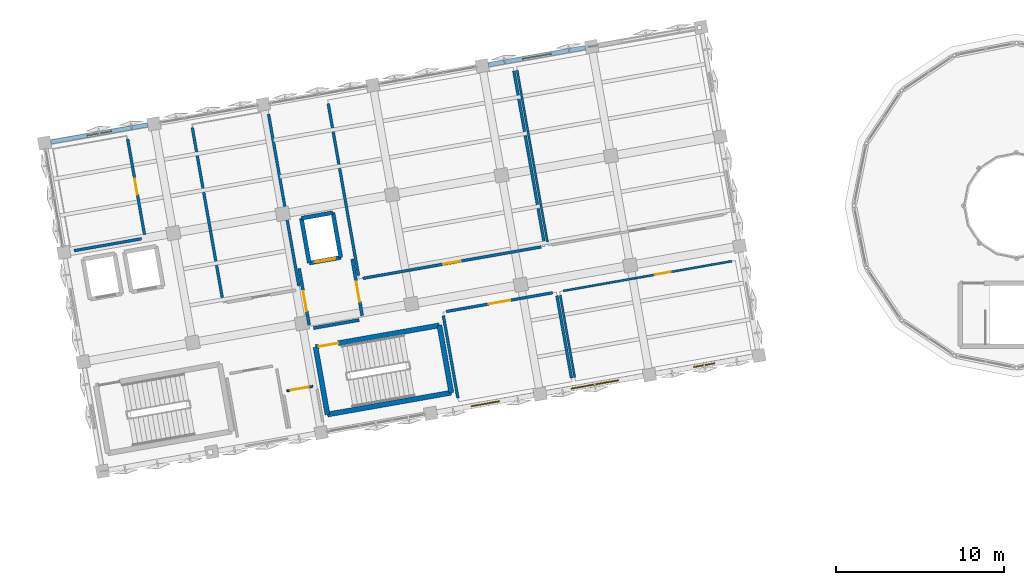
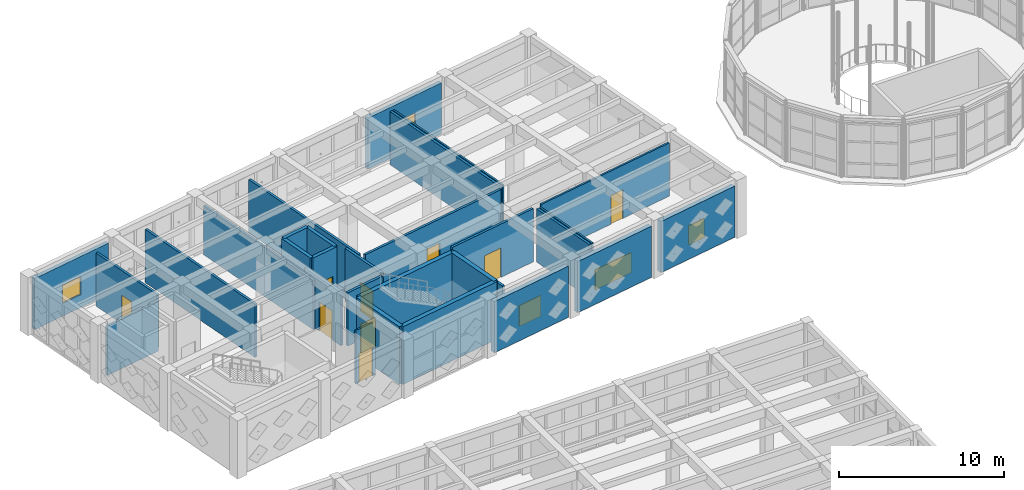
# One storey, part 67 of 80: 30 walls, 9 doors, 5 windows, 14 openings.
"""IFC4 building model written with IfcOpenShell, lengths in metres."""

from ifc_helpers import new_model, si_unit, direction, frame, frame_2d, origin, place, context, subcontext, project, spatial, rectangle, extrude, material, layer, layer_set, type_object, element, fill, save


model = new_model("IFC4")

# Units and contexts
model_context = context("Model", 3, precision=1e-05, world=origin(), true_north=direction((0.0, 1.0)))
body_context = subcontext(model_context, "Body", "Model", "MODEL_VIEW")
ifc_project = project(units=[si_unit("LENGTHUNIT", "METRE"), si_unit("AREAUNIT", "SQUARE_METRE"), si_unit("VOLUMEUNIT", "CUBIC_METRE"), si_unit("PLANEANGLEUNIT", "RADIAN"), si_unit("MASSUNIT", "GRAM", prefix="KILO")], contexts=[model_context])

# Site, building, storey
site_placement = place(None, origin())
site = spatial("IfcSite", under=ifc_project, at=site_placement, CompositionType="ELEMENT")
building_placement = place(site_placement, origin())
building = spatial("IfcBuilding", under=site, at=building_placement, Name="Kharisveld Research Institute", CompositionType="ELEMENT")
storey_placement = place(building_placement, frame((0.0, 0.0, 5.10009765625)))
storey = spatial("IfcBuildingStorey", under=building, at=storey_placement, Name="L01", CompositionType="ELEMENT", Elevation=5.10009765625)

# Walls
ifc_material_1 = material(Name="Concrete C40/50", Category="concrete")
ifc_layer_1 = layer(ifc_material_1, 0.239990234375)
ifc_layer_set_1 = layer_set([ifc_layer_1], Name="WL_CORE_240")
wall_type_1 = type_object("IfcWallType", Name="WL_CORE_240", PredefinedType="SHEAR", material=ifc_layer_set_1)
wall_1_placement = place(storey_placement, frame((17.48828125, 47.3818359375, 0.0), z_axis=(0.0, 0.0, 1.0), x_axis=(-0.173615102578, 0.98481358447, 0.0)))
element("IfcWall", 1, at=wall_1_placement, inside=storey, type_object=wall_type_1, Name="WL:LFT:FFL-01:L01:W", PredefinedType="SHEAR", context=body_context, shape_type="SweptSolid", body=[
    extrude(rectangle(XDim=2.699951171875, YDim=0.239990234375, at=frame_2d((1.35009765625, 0.0))), origin(), (0.0, 0.0, 1.0), 4.27978515625),
])
wall_2_placement = place(storey_placement, frame((17.01953125, 50.040771484375, 0.0), z_axis=(0.0, 0.0, 1.0), x_axis=(0.984815882103, 0.173602068988, 0.0)))
element("IfcWall", 2, at=wall_2_placement, inside=storey, type_object=wall_type_1, Name="WL:LFT:FFL-01:L01:N", PredefinedType="SHEAR", context=body_context, shape_type="SweptSolid", body=[
    extrude(rectangle(XDim=1.89990234375, YDim=0.239990234375, at=frame_2d((0.949951171875, 0.0))), origin(), (0.0, 0.0, 1.0), 4.27978515625),
])
wall_3_placement = place(storey_placement, frame((18.890625, 50.37060546875, 0.0), z_axis=(0.0, 0.0, 1.0), x_axis=(0.173615102578, -0.98481358447, 0.0)))
element("IfcWall", 3, at=wall_3_placement, inside=storey, type_object=wall_type_1, Name="WL:LFT:FFL-01:L01:E", PredefinedType="SHEAR", context=body_context, shape_type="SweptSolid", body=[
    extrude(rectangle(XDim=2.699951171875, YDim=0.239990234375, at=frame_2d((1.35009765625, 0.0))), origin(), (0.0, 0.0, 1.0), 4.27978515625),
])

# Wall, opening, door
wall_4_placement = place(storey_placement, frame((19.359375, 47.711669921875, 0.0), z_axis=(0.0, 0.0, 1.0), x_axis=(-0.984815882103, -0.173602068988, 0.0)))
wall_4 = element("IfcWall", 4, at=wall_4_placement, inside=storey, type_object=wall_type_1, Name="WL:LFT:FFL-01:L01:S", PredefinedType="SHEAR", context=body_context, shape_type="SweptSolid", body=[
    extrude(rectangle(XDim=1.89990234375, YDim=0.239990234375, at=frame_2d((0.949951171875, 0.0))), origin(), (0.0, 0.0, 1.0), 4.27978515625),
])
opening_1_placement = place(wall_4_placement, frame((0.324951171875, 0.0, 0.0)))
opening_1 = element("IfcOpeningElement", 5, at=opening_1_placement, cuts=wall_4, Name="Opening LD-02", PredefinedType="OPENING", context=body_context, shape_type="SweptSolid", body=[
    extrude(rectangle(XDim=1.25, YDim=2.199951171875, at=frame_2d((0.625, 1.10009765625))), frame((0.0, 0.1201171875, 0.0), z_axis=(0.0, -1.0, 0.0), x_axis=(1.0, 0.0, 0.0)), (0.0, 0.0, 1.0), 0.239990234375),
])
ifc_material_2 = material(Name="Flush Painted Hardwood and Anodised Aluminium", Category="wood")
door_type_1 = type_object("IfcDoorType", Name="DR_LFT_125", OperationType="SLIDING_TO_RIGHT", PredefinedType="DOOR", material=ifc_material_2)
door_1_placement = place(opening_1_placement, origin())
door_1 = element("IfcDoor", 6, at=door_1_placement, inside=storey, type_object=door_type_1, Name="FFL-01 Lift Landing Door L01", OperationType="SLIDING_TO_RIGHT", OverallHeight=2.199951171875, OverallWidth=1.25, PredefinedType="DOOR", context=body_context, shape_type="SweptSolid", body=[
    extrude(rectangle(XDim=1.25, YDim=2.199951171875, at=frame_2d((0.625, 1.10009765625))), frame((0.0, 0.02490234375, 0.0), z_axis=(0.0, -1.0, 0.0), x_axis=(1.0, 0.0, 0.0)), (0.0, 0.0, 1.0), 0.050048828125),
])
fill(opening_1, door_1)

# Wall
ifc_material_3 = material(Name="Concrete C40/50", Category="concrete")
ifc_layer_2 = layer(ifc_material_3, 0.300048828125)
ifc_layer_set_2 = layer_set([ifc_layer_2], Name="WL_CORE_300")
wall_type_2 = type_object("IfcWallType", Name="WL_CORE_300", PredefinedType="SHEAR", material=ifc_layer_set_2)
wall_5_placement = place(storey_placement, frame((18.5673828125, 38.382568359375, 0.0), z_axis=(0.0, 0.0, 1.0), x_axis=(-0.173606946886, 0.984815022221, 0.0)))
element("IfcWall", 7, at=wall_5_placement, inside=storey, type_object=wall_type_2, Name="WL:STR:ST2:L01:W", PredefinedType="SHEAR", context=body_context, shape_type="SweptSolid", body=[
    extrude(rectangle(XDim=4.06005859375, YDim=0.300048828125, at=frame_2d((2.030029296875, 0.0))), origin(), (0.0, 0.0, 1.0), 4.27978515625),
])

# Wall, opening, door
wall_6_placement = place(storey_placement, frame((17.862548828125, 42.380859375, 0.0), z_axis=(0.0, 0.0, 1.0), x_axis=(0.984808225754, 0.173645496596, 0.0)))
wall_6 = element("IfcWall", 8, at=wall_6_placement, inside=storey, type_object=wall_type_2, Name="WL:STR:ST2:L01:N", PredefinedType="SHEAR", context=body_context, shape_type="SweptSolid", body=[
    extrude(rectangle(XDim=7.469970703125, YDim=0.300048828125, at=frame_2d((3.73486328125, 0.0))), origin(), (0.0, 0.0, 1.0), 4.27978515625),
])
opening_2_placement = place(wall_6_placement, frame((0.179931640625, 0.0, 0.0)))
opening_2 = element("IfcOpeningElement", 9, at=opening_2_placement, cuts=wall_6, Name="Opening DS-016", PredefinedType="OPENING", context=body_context, shape_type="SweptSolid", body=[
    extrude(rectangle(XDim=1.179931640625, YDim=2.14990234375, at=frame_2d((0.58984375, 1.074951171875))), frame((0.0, 0.14990234375, 0.0), z_axis=(0.0, -1.0, 0.0), x_axis=(1.0, 0.0, 0.0)), (0.0, 0.0, 1.0), 0.300048828125),
])
ifc_material_4 = material(Name="Flush Painted Hardwood and Anodised Aluminium", Category="wood")
door_type_2 = type_object("IfcDoorType", Name="DR_FD60_118", OperationType="NOTDEFINED", PredefinedType="DOOR", material=ifc_material_4)
door_2_placement = place(opening_2_placement, origin())
door_2 = element("IfcDoor", 10, at=door_2_placement, inside=storey, type_object=door_type_2, Name="DR:STR:ST2:L01", OperationType="SINGLE_SWING_LEFT", OverallHeight=2.14990234375, OverallWidth=1.179931640625, PredefinedType="DOOR", context=body_context, shape_type="SweptSolid", body=[
    extrude(rectangle(XDim=1.179931640625, YDim=2.14990234375, at=frame_2d((0.58984375, 1.074951171875))), frame((0.0, 0.02490234375, 0.0), z_axis=(0.0, -1.0, 0.0), x_axis=(1.0, 0.0, 0.0)), (0.0, 0.0, 1.0), 0.050048828125),
])
fill(opening_2, door_2)

# Walls
wall_7_placement = place(storey_placement, frame((25.218994140625, 43.677978515625, 0.0), z_axis=(0.0, 0.0, 1.0), x_axis=(0.173665267602, -0.984804739443, 0.0)))
element("IfcWall", 11, at=wall_7_placement, inside=storey, type_object=wall_type_2, Name="WL:STR:ST2:L01:E", PredefinedType="SHEAR", context=body_context, shape_type="SweptSolid", body=[
    extrude(rectangle(XDim=4.06005859375, YDim=0.300048828125, at=frame_2d((2.030029296875, 0.0))), origin(), (0.0, 0.0, 1.0), 4.27978515625),
])
wall_8_placement = place(storey_placement, frame((25.924072265625, 39.6796875, 0.0), z_axis=(0.0, 0.0, 1.0), x_axis=(-0.984809211193, -0.173639907711, 0.0)))
element("IfcWall", 12, at=wall_8_placement, inside=storey, type_object=wall_type_2, Name="WL:STR:ST2:L01:S", PredefinedType="SHEAR", context=body_context, shape_type="SweptSolid", body=[
    extrude(rectangle(XDim=7.47021484375, YDim=0.300048828125, at=frame_2d((3.735107421875, 0.0))), origin(), (0.0, 0.0, 1.0), 4.27978515625),
])

# Wall, opening, window
ifc_material_5 = material(Name="Precast Concrete C40/50 Thermal Wall", Category="concrete")
ifc_layer_3 = layer(ifc_material_5, 0.260009765625)
ifc_layer_set_3 = layer_set([ifc_layer_3], Name="WL_EXT_260")
wall_type_3 = type_object("IfcWallType", Name="WL_EXT_260", PredefinedType="STANDARD", material=ifc_layer_set_3)
wall_9_placement = place(storey_placement, frame((2.126220703125, 54.573486328125, 0.0), z_axis=(0.0, 0.0, 1.0), x_axis=(0.984807875342, 0.1736474839, 0.0)))
wall_9 = element("IfcWall", 13, at=wall_9_placement, inside=storey, type_object=wall_type_3, Name="WL:V1:L01:N0", PredefinedType="STANDARD", context=body_context, shape_type="SweptSolid", body=[
    extrude(rectangle(XDim=5.860107421875, YDim=0.260009765625, at=frame_2d((2.93017578125, 0.0))), origin(), (0.0, 0.0, 1.0), 3.794921875),
])
opening_3_placement = place(wall_9_placement, frame((2.205078125, 0.0, 0.949951171875)))
opening_3 = element("IfcOpeningElement", 14, at=opening_3_placement, cuts=wall_9, Name="Opening WN-13", PredefinedType="OPENING", context=body_context, shape_type="SweptSolid", body=[
    extrude(rectangle(XDim=1.449951171875, YDim=1.35009765625, at=frame_2d((0.72509765625, 0.675048828125))), frame((0.0, 0.1298828125, 0.0), z_axis=(0.0, -1.0, 0.0), x_axis=(1.0, 0.0, 0.0)), (0.0, 0.0, 1.0), 0.260009765625),
])
ifc_material_6 = material(Name="Low-E Double Glazing", Category="glass")
window_type_1 = type_object("IfcWindowType", Name="WN_13", PartitioningType="DOUBLE_PANEL_VERTICAL", PredefinedType="WINDOW", material=ifc_material_6)
window_1_placement = place(opening_3_placement, origin())
window_1 = element("IfcWindow", 15, at=window_1_placement, inside=storey, type_object=window_type_1, Name="WN:V1:L01:N0", OverallHeight=1.35009765625, OverallWidth=1.449951171875, PartitioningType="SINGLE_PANEL", PredefinedType="WINDOW", context=body_context, shape_type="SweptSolid", body=[
    extrude(rectangle(XDim=1.449951171875, YDim=1.35009765625, at=frame_2d((0.72509765625, 0.675048828125))), frame((0.0, 0.030029296875, 0.0), z_axis=(0.0, -1.0, 0.0), x_axis=(1.0, 0.0, 0.0)), (0.0, 0.0, 1.0), 0.06005859375),
])
fill(opening_3, window_1)

wall_10_placement = place(storey_placement, frame((28.125, 59.15771484375, 0.0), z_axis=(0.0, 0.0, 1.0), x_axis=(0.984807875342, 0.1736474839, 0.0)))
wall_10 = element("IfcWall", 16, at=wall_10_placement, inside=storey, type_object=wall_type_3, Name="WL:V1:L01:N4", PredefinedType="STANDARD", context=body_context, shape_type="SweptSolid", body=[
    extrude(rectangle(XDim=5.860107421875, YDim=0.260009765625, at=frame_2d((2.93017578125, 0.0))), origin(), (0.0, 0.0, 1.0), 3.794921875),
])
opening_4_placement = place(wall_10_placement, frame((2.080078125, 0.0, 0.949951171875)))
opening_4 = element("IfcOpeningElement", 17, at=opening_4_placement, cuts=wall_10, Name="Opening WN-17", PredefinedType="OPENING", context=body_context, shape_type="SweptSolid", body=[
    extrude(rectangle(XDim=1.699951171875, YDim=1.550048828125, at=frame_2d((0.85009765625, 0.77490234375))), frame((0.0, 0.1298828125, 0.0), z_axis=(0.0, -1.0, 0.0), x_axis=(1.0, 0.0, 0.0)), (0.0, 0.0, 1.0), 0.260009765625),
])
ifc_material_7 = material(Name="Low-E Double Glazing", Category="glass")
window_type_2 = type_object("IfcWindowType", Name="WN_17", PartitioningType="DOUBLE_PANEL_VERTICAL", PredefinedType="WINDOW", material=ifc_material_7)
window_2_placement = place(opening_4_placement, origin())
window_2 = element("IfcWindow", 18, at=window_2_placement, inside=storey, type_object=window_type_2, Name="WN:V1:L01:N4", OverallHeight=1.550048828125, OverallWidth=1.699951171875, PartitioningType="SINGLE_PANEL", PredefinedType="WINDOW", context=body_context, shape_type="SweptSolid", body=[
    extrude(rectangle(XDim=1.699951171875, YDim=1.550048828125, at=frame_2d((0.85009765625, 0.77490234375))), frame((0.0, 0.030029296875, 0.0), z_axis=(0.0, -1.0, 0.0), x_axis=(1.0, 0.0, 0.0)), (0.0, 0.0, 1.0), 0.06005859375),
])
fill(opening_4, window_2)

ifc_material_8 = material(Name="Precast Concrete C40/50 Ochre Panel", Category="concrete")
ifc_layer_4 = layer(ifc_material_8, 0.304931640625)
ifc_layer_set_4 = layer_set([ifc_layer_4], Name="WL_EXT_305")
wall_type_4 = type_object("IfcWallType", Name="WL_EXT_305", PredefinedType="STANDARD", material=ifc_layer_set_4)
wall_11_placement = place(storey_placement, frame((43.833984375, 41.822265625, 0.0), z_axis=(0.0, 0.0, 1.0), x_axis=(-0.984807875342, -0.1736474839, 0.0)))
wall_11 = element("IfcWall", 19, at=wall_11_placement, inside=storey, type_object=wall_type_4, Name="WL:V1:L01:S6", PredefinedType="STANDARD", context=body_context, shape_type="SweptSolid", body=[
    extrude(rectangle(XDim=5.860107421875, YDim=0.304931640625, at=frame_2d((2.93017578125, 0.0))), origin(), (0.0, 0.0, 1.0), 3.794921875),
])
opening_5_placement = place(wall_11_placement, frame((2.2900390625, 0.0, 0.949951171875)))
opening_5 = element("IfcOpeningElement", 20, at=opening_5_placement, cuts=wall_11, Name="Opening WN-19", PredefinedType="OPENING", context=body_context, shape_type="SweptSolid", body=[
    extrude(rectangle(XDim=1.280029296875, YDim=1.419921875, at=frame_2d((0.64013671875, 0.7099609375))), frame((0.0, 0.15234375, 0.0), z_axis=(0.0, -1.0, 0.0), x_axis=(1.0, 0.0, 0.0)), (0.0, 0.0, 1.0), 0.304931640625),
])
ifc_material_9 = material(Name="Low-E Double Glazing", Category="glass")
window_type_3 = type_object("IfcWindowType", Name="WN_19", PartitioningType="SINGLE_PANEL", PredefinedType="WINDOW", material=ifc_material_9)
window_3_placement = place(opening_5_placement, origin())
window_3 = element("IfcWindow", 21, at=window_3_placement, inside=storey, type_object=window_type_3, Name="WN:V1:L01:S6", OverallHeight=1.419921875, OverallWidth=1.280029296875, PartitioningType="SINGLE_PANEL", PredefinedType="WINDOW", context=body_context, shape_type="SweptSolid", body=[
    extrude(rectangle(XDim=1.280029296875, YDim=1.419921875, at=frame_2d((0.64013671875, 0.7099609375))), frame((0.0, 0.030029296875, 0.0), z_axis=(0.0, -1.0, 0.0), x_axis=(1.0, 0.0, 0.0)), (0.0, 0.0, 1.0), 0.06005859375),
])
fill(opening_5, window_3)

wall_12_placement = place(storey_placement, frame((37.334228515625, 40.676025390625, 0.0), z_axis=(0.0, 0.0, 1.0), x_axis=(-0.984807875342, -0.1736474839, 0.0)))
wall_12 = element("IfcWall", 22, at=wall_12_placement, inside=storey, type_object=wall_type_4, Name="WL:V1:L01:S5", PredefinedType="STANDARD", context=body_context, shape_type="SweptSolid", body=[
    extrude(rectangle(XDim=5.860107421875, YDim=0.304931640625, at=frame_2d((2.93017578125, 0.0))), origin(), (0.0, 0.0, 1.0), 3.794921875),
])
opening_6_placement = place(wall_12_placement, frame((1.5048828125, 0.0, 0.949951171875)))
opening_6 = element("IfcOpeningElement", 23, at=opening_6_placement, cuts=wall_12, Name="Opening WN-18", PredefinedType="OPENING", context=body_context, shape_type="SweptSolid", body=[
    extrude(rectangle(XDim=2.85009765625, YDim=1.5, at=frame_2d((1.425048828125, 0.75))), frame((0.0, 0.15234375, 0.0), z_axis=(0.0, -1.0, 0.0), x_axis=(1.0, 0.0, 0.0)), (0.0, 0.0, 1.0), 0.304931640625),
])
ifc_material_10 = material(Name="Low-E Double Glazing", Category="glass")
window_type_4 = type_object("IfcWindowType", Name="WN_18", PartitioningType="TRIPLE_PANEL_VERTICAL", PredefinedType="WINDOW", material=ifc_material_10)
window_4_placement = place(opening_6_placement, origin())
window_4 = element("IfcWindow", 24, at=window_4_placement, inside=storey, type_object=window_type_4, Name="WN:V1:L01:S5", OverallHeight=1.5, OverallWidth=2.85009765625, PartitioningType="SINGLE_PANEL", PredefinedType="WINDOW", context=body_context, shape_type="SweptSolid", body=[
    extrude(rectangle(XDim=2.85009765625, YDim=1.5, at=frame_2d((1.425048828125, 0.75))), frame((0.0, 0.030029296875, 0.0), z_axis=(0.0, -1.0, 0.0), x_axis=(1.0, 0.0, 0.0)), (0.0, 0.0, 1.0), 0.06005859375),
])
fill(opening_6, window_4)

wall_13_placement = place(storey_placement, frame((30.83447265625, 39.530029296875, 0.0), z_axis=(0.0, 0.0, 1.0), x_axis=(-0.984807875342, -0.1736474839, 0.0)))
wall_13 = element("IfcWall", 25, at=wall_13_placement, inside=storey, type_object=wall_type_4, Name="WL:V1:L01:S4", PredefinedType="STANDARD", context=body_context, shape_type="SweptSolid", body=[
    extrude(rectangle(XDim=5.860107421875, YDim=0.304931640625, at=frame_2d((2.93017578125, 0.0))), origin(), (0.0, 0.0, 1.0), 3.794921875),
])
opening_7_placement = place(wall_13_placement, frame((2.080078125, 0.0, 0.949951171875)))
opening_7 = element("IfcOpeningElement", 26, at=opening_7_placement, cuts=wall_13, Name="Opening WN-17", PredefinedType="OPENING", context=body_context, shape_type="SweptSolid", body=[
    extrude(rectangle(XDim=1.699951171875, YDim=1.550048828125, at=frame_2d((0.85009765625, 0.77490234375))), frame((0.0, 0.15234375, 0.0), z_axis=(0.0, -1.0, 0.0), x_axis=(1.0, 0.0, 0.0)), (0.0, 0.0, 1.0), 0.304931640625),
])
window_5_placement = place(opening_7_placement, origin())
window_5 = element("IfcWindow", 27, at=window_5_placement, inside=storey, type_object=window_type_2, Name="WN:V1:L01:S4", OverallHeight=1.550048828125, OverallWidth=1.699951171875, PartitioningType="SINGLE_PANEL", PredefinedType="WINDOW", context=body_context, shape_type="SweptSolid", body=[
    extrude(rectangle(XDim=1.699951171875, YDim=1.550048828125, at=frame_2d((0.85009765625, 0.77490234375))), frame((0.0, 0.030029296875, 0.0), z_axis=(0.0, -1.0, 0.0), x_axis=(1.0, 0.0, 0.0)), (0.0, 0.0, 1.0), 0.06005859375),
])
fill(opening_7, window_5)

# Wall
ifc_material_11 = material(Name="Acoustic Drywall Partition", Category="mineral")
ifc_layer_5 = layer(ifc_material_11, 0.1650390625)
ifc_layer_set_5 = layer_set([ifc_layer_5], Name="WL_LAB_165")
wall_type_5 = type_object("IfcWallType", Name="WL_LAB_165", PredefinedType="PARTITIONING", material=ifc_layer_set_5)
wall_14_placement = place(storey_placement, frame((3.518310546875, 48.1171875, 0.0), z_axis=(0.0, 0.0, 1.0), x_axis=(0.984816834462, 0.173596666326, 0.0)))
element("IfcWall", 28, at=wall_14_placement, inside=storey, type_object=wall_type_5, Name="WL:RM:V1:L01:NW:S", PredefinedType="PARTITIONING", context=body_context, shape_type="SweptSolid", body=[
    extrude(rectangle(XDim=4.060302734375, YDim=0.1650390625, at=frame_2d((2.0302734375, 0.0))), origin(), (0.0, 0.0, 1.0), 3.64501953125),
])

# Wall, opening, door
wall_15_placement = place(storey_placement, frame((7.6953125, 49.076904296875, 0.0), z_axis=(0.0, 0.0, 1.0), x_axis=(-0.173649928941, 0.984807444214, 0.0)))
wall_15 = element("IfcWall", 29, at=wall_15_placement, inside=storey, type_object=wall_type_5, Name="WL:RM:V1:L01:NW:E", PredefinedType="PARTITIONING", context=body_context, shape_type="SweptSolid", body=[
    extrude(rectangle(XDim=5.760009765625, YDim=0.1650390625, at=frame_2d((2.8798828125, 0.0))), origin(), (0.0, 0.0, 1.0), 3.949951171875),
])
opening_8_placement = place(wall_15_placement, frame((2.39501953125, 0.0, 0.0)))
opening_8 = element("IfcOpeningElement", 30, at=opening_8_placement, cuts=wall_15, Name="Opening DI-075", PredefinedType="OPENING", context=body_context, shape_type="SweptSolid", body=[
    extrude(rectangle(XDim=0.969970703125, YDim=2.1201171875, at=frame_2d((0.48486328125, 1.06005859375))), frame((0.0, 0.08251953125, 0.0), z_axis=(0.0, -1.0, 0.0), x_axis=(1.0, 0.0, 0.0)), (0.0, 0.0, 1.0), 0.1650390625),
])
ifc_material_12 = material(Name="Flush Painted Hardwood and Anodised Aluminium", Category="wood")
door_type_3 = type_object("IfcDoorType", Name="DR_VAR_03", OperationType="NOTDEFINED", PredefinedType="DOOR", material=ifc_material_12)
door_3_placement = place(opening_8_placement, origin())
door_3 = element("IfcDoor", 31, at=door_3_placement, inside=storey, type_object=door_type_3, Name="DR:RM:V1:L01:NW:E", OperationType="SINGLE_SWING_RIGHT", OverallHeight=2.1201171875, OverallWidth=0.969970703125, PredefinedType="DOOR", context=body_context, shape_type="SweptSolid", body=[
    extrude(rectangle(XDim=0.969970703125, YDim=2.1201171875, at=frame_2d((0.48486328125, 1.06005859375))), frame((0.0, 0.02490234375, 0.0), z_axis=(0.0, -1.0, 0.0), x_axis=(1.0, 0.0, 0.0)), (0.0, 0.0, 1.0), 0.050048828125),
])
fill(opening_8, door_3)

# Walls
wall_16_placement = place(storey_placement, frame((16.86474609375, 46.02294921875, 0.0), z_axis=(0.0, 0.0, 1.0), x_axis=(-0.173632075677, 0.984810592092, 0.0)))
element("IfcWall", 32, at=wall_16_placement, inside=storey, type_object=wall_type_5, Name="WL:RM:V1:L01:N1:E", PredefinedType="PARTITIONING", context=body_context, shape_type="SweptSolid", body=[
    extrude(rectangle(XDim=10.360107421875, YDim=0.1650390625, at=frame_2d((5.18017578125, 0.0))), origin(), (0.0, 0.0, 1.0), 3.64501953125),
])
wall_17_placement = place(storey_placement, frame((10.53564453125, 55.4267578125, 0.0), z_axis=(0.0, 0.0, 1.0), x_axis=(0.173654930775, -0.984806562233, 0.0)))
element("IfcWall", 33, at=wall_17_placement, inside=storey, type_object=wall_type_5, Name="WL:RM:V1:L01:N1:W", PredefinedType="PARTITIONING", context=body_context, shape_type="SweptSolid", body=[
    extrude(rectangle(XDim=10.360107421875, YDim=0.1650390625, at=frame_2d((5.18017578125, 0.0))), origin(), (0.0, 0.0, 1.0), 3.949951171875),
])

# Wall, opening, door
wall_18_placement = place(storey_placement, frame((20.6650390625, 46.469482421875, 0.0), z_axis=(0.0, 0.0, 1.0), x_axis=(0.984804338045, 0.173667543796, 0.0)))
wall_18 = element("IfcWall", 34, at=wall_18_placement, inside=storey, type_object=wall_type_5, Name="WL:RM:V1:L01:N2:S", PredefinedType="PARTITIONING", context=body_context, shape_type="SweptSolid", body=[
    extrude(rectangle(XDim=10.760009765625, YDim=0.1650390625, at=frame_2d((5.3798828125, 0.0))), origin(), (0.0, 0.0, 1.0), 3.949951171875),
])
opening_9_placement = place(wall_18_placement, frame((4.864990234375, 0.0, 0.0)))
opening_9 = element("IfcOpeningElement", 35, at=opening_9_placement, cuts=wall_18, Name="Opening DI-077", PredefinedType="OPENING", context=body_context, shape_type="SweptSolid", body=[
    extrude(rectangle(XDim=1.030029296875, YDim=2.159912109375, at=frame_2d((0.51513671875, 1.080078125))), frame((0.0, 0.08251953125, 0.0), z_axis=(0.0, -1.0, 0.0), x_axis=(1.0, 0.0, 0.0)), (0.0, 0.0, 1.0), 0.1650390625),
])
ifc_material_13 = material(Name="Flush Painted Hardwood and Anodised Aluminium", Category="wood")
door_type_4 = type_object("IfcDoorType", Name="DR_VAR_05", OperationType="NOTDEFINED", PredefinedType="DOOR", material=ifc_material_13)
door_4_placement = place(opening_9_placement, origin())
door_4 = element("IfcDoor", 36, at=door_4_placement, inside=storey, type_object=door_type_4, Name="DR:RM:V1:L01:N2:S", OperationType="SINGLE_SWING_RIGHT", OverallHeight=2.159912109375, OverallWidth=1.030029296875, PredefinedType="DOOR", context=body_context, shape_type="SweptSolid", body=[
    extrude(rectangle(XDim=1.030029296875, YDim=2.159912109375, at=frame_2d((0.51513671875, 1.080078125))), frame((0.0, 0.02490234375, 0.0), z_axis=(0.0, -1.0, 0.0), x_axis=(1.0, 0.0, 0.0)), (0.0, 0.0, 1.0), 0.050048828125),
])
fill(opening_9, door_4)

# Walls
for number, where, z_axis, x_axis, name in (
    (37, (31.43994140625, 48.5927734375, 0.0), (0.0, 0.0, 1.0), (-0.173632075677, 0.984810592092, 0.0), "WL:RM:V1:L01:N2:E"),
    (38, (18.611083984375, 56.8505859375, 0.0), (0.0, 0.0, 1.0), (0.173654930775, -0.984806562233, 0.0), "WL:RM:V1:L01:N2:W"),
):
    element("IfcWall", number, at=place(storey_placement, frame(where, z_axis=z_axis, x_axis=x_axis)), inside=storey, type_object=wall_type_5, Name=name, PredefinedType="PARTITIONING", context=body_context, shape_type="SweptSolid", body=[
        extrude(rectangle(XDim=10.360107421875, YDim=0.1650390625, at=frame_2d((5.18017578125, 0.0))), origin(), (0.0, 0.0, 1.0), 3.949951171875),
    ])
wall_19_placement = place(storey_placement, frame((33.060791015625, 40.55224609375, 0.0), z_axis=(0.0, 0.0, 1.0), x_axis=(-0.173658971256, 0.98480584975, 0.0)))
element("IfcWall", 39, at=wall_19_placement, inside=storey, type_object=wall_type_5, Name="WL:RM:V1:L01:S1:E", PredefinedType="PARTITIONING", context=body_context, shape_type="SweptSolid", body=[
    extrude(rectangle(XDim=4.9599609375, YDim=0.1650390625, at=frame_2d((2.47998046875, 0.0))), origin(), (0.0, 0.0, 1.0), 3.949951171875),
])

# Wall, opening, door
wall_20_placement = place(storey_placement, frame((31.94482421875, 45.615234375, 0.0), z_axis=(0.0, 0.0, 1.0), x_axis=(-0.984809620557, -0.173637585958, 0.0)))
wall_20 = element("IfcWall", 40, at=wall_20_placement, inside=storey, type_object=wall_type_5, Name="WL:RM:V1:L01:S1:N", PredefinedType="PARTITIONING", context=body_context, shape_type="SweptSolid", body=[
    extrude(rectangle(XDim=6.41015625, YDim=0.1650390625, at=frame_2d((3.205078125, 0.0))), origin(), (0.0, 0.0, 1.0), 3.949951171875),
])
opening_10_placement = place(wall_20_placement, frame((2.554931640625, 0.0, 0.0)))
opening_10 = element("IfcOpeningElement", 41, at=opening_10_placement, cuts=wall_20, Name="Opening DI-079", PredefinedType="OPENING", context=body_context, shape_type="SweptSolid", body=[
    extrude(rectangle(XDim=1.300048828125, YDim=2.179931640625, at=frame_2d((0.64990234375, 1.08984375))), frame((0.0, 0.08251953125, 0.0), z_axis=(0.0, -1.0, 0.0), x_axis=(1.0, 0.0, 0.0)), (0.0, 0.0, 1.0), 0.1650390625),
])
ifc_material_14 = material(Name="Flush Painted Hardwood and Anodised Aluminium", Category="wood")
door_type_5 = type_object("IfcDoorType", Name="DR_SEM_130", OperationType="DOUBLE_DOOR_SINGLE_SWING", PredefinedType="DOOR", material=ifc_material_14)
door_5_placement = place(opening_10_placement, origin())
door_5 = element("IfcDoor", 42, at=door_5_placement, inside=storey, type_object=door_type_5, Name="DR:RM:V1:L01:S1:N", OperationType="DOUBLE_DOOR_SINGLE_SWING", OverallHeight=2.179931640625, OverallWidth=1.300048828125, PredefinedType="DOOR", context=body_context, shape_type="SweptSolid", body=[
    extrude(rectangle(XDim=1.300048828125, YDim=2.179931640625, at=frame_2d((0.64990234375, 1.08984375))), frame((0.0, 0.02490234375, 0.0), z_axis=(0.0, -1.0, 0.0), x_axis=(1.0, 0.0, 0.0)), (0.0, 0.0, 1.0), 0.050048828125),
])
fill(opening_10, door_5)

# Walls
wall_21_placement = place(storey_placement, frame((25.45361328125, 44.247314453125, 0.0), z_axis=(0.0, 0.0, 1.0), x_axis=(0.173658971256, -0.98480584975, 0.0)))
element("IfcWall", 43, at=wall_21_placement, inside=storey, type_object=wall_type_5, Name="WL:RM:V1:L01:S1:W", PredefinedType="PARTITIONING", context=body_context, shape_type="SweptSolid", body=[
    extrude(rectangle(XDim=4.9599609375, YDim=0.1650390625, at=frame_2d((2.47998046875, 0.0))), origin(), (0.0, 0.0, 1.0), 3.949951171875),
])
ifc_material_15 = material(Name="Masonry Blockwork", Category="masonry")
ifc_layer_6 = layer(ifc_material_15, 0.18505859375)
ifc_layer_set_6 = layer_set([ifc_layer_6], Name="WL_LOB_185")
wall_type_6 = type_object("IfcWallType", Name="WL_LOB_185", PredefinedType="SOLIDWALL", material=ifc_layer_set_6)
wall_22_placement = place(storey_placement, frame((17.7333984375, 43.515625, 0.0), z_axis=(0.0, 0.0, 1.0), x_axis=(0.984808483292, 0.173644035992, 0.0)))
element("IfcWall", 44, at=wall_22_placement, inside=storey, type_object=wall_type_6, Name="WL:RM:V1:L01:FFL:S", PredefinedType="SOLIDWALL", context=body_context, shape_type="SweptSolid", body=[
    extrude(rectangle(XDim=2.760009765625, YDim=0.18505859375, at=frame_2d((1.3798828125, 0.0))), origin(), (0.0, 0.0, 1.0), 3.949951171875),
])

# Wall, opening, door
wall_23_placement = place(storey_placement, frame((20.6298828125, 44.249755859375, 0.0), z_axis=(0.0, 0.0, 1.0), x_axis=(-0.173621956536, 0.984812376145, 0.0)))
wall_23 = element("IfcWall", 45, at=wall_23_placement, inside=storey, type_object=wall_type_6, Name="WL:RM:V1:L01:FFL:E", PredefinedType="SOLIDWALL", context=body_context, shape_type="SweptSolid", body=[
    extrude(rectangle(XDim=3.409912109375, YDim=0.18505859375, at=frame_2d((1.705078125, 0.0))), origin(), (0.0, 0.0, 1.0), 3.949951171875),
])
opening_11_placement = place(wall_23_placement, frame((0.85009765625, 0.0, 0.0)))
opening_11 = element("IfcOpeningElement", 46, at=opening_11_placement, cuts=wall_23, Name="Opening DI-071", PredefinedType="OPENING", context=body_context, shape_type="SweptSolid", body=[
    extrude(rectangle(XDim=1.199951171875, YDim=2.14990234375, at=frame_2d((0.60009765625, 1.074951171875))), frame((0.0, 0.092529296875, 0.0), z_axis=(0.0, -1.0, 0.0), x_axis=(1.0, 0.0, 0.0)), (0.0, 0.0, 1.0), 0.18505859375),
])
ifc_material_16 = material(Name="Flush Painted Hardwood and Anodised Aluminium", Category="wood")
door_type_6 = type_object("IfcDoorType", Name="DR_FD120_120", OperationType="NOTDEFINED", PredefinedType="DOOR", material=ifc_material_16)
door_6_placement = place(opening_11_placement, origin())
door_6 = element("IfcDoor", 47, at=door_6_placement, inside=storey, type_object=door_type_6, Name="DR:RM:V1:L01:FFL:E", OperationType="SINGLE_SWING_RIGHT", OverallHeight=2.14990234375, OverallWidth=1.199951171875, PredefinedType="DOOR", context=body_context, shape_type="SweptSolid", body=[
    extrude(rectangle(XDim=1.199951171875, YDim=2.14990234375, at=frame_2d((0.60009765625, 1.074951171875))), frame((0.0, 0.02490234375, 0.0), z_axis=(0.0, -1.0, 0.0), x_axis=(1.0, 0.0, 0.0)), (0.0, 0.0, 1.0), 0.050048828125),
])
fill(opening_11, door_6)

wall_24_placement = place(storey_placement, frame((16.886474609375, 47.05224609375, 0.0), z_axis=(0.0, 0.0, 1.0), x_axis=(0.173621956536, -0.984812376145, 0.0)))
wall_24 = element("IfcWall", 48, at=wall_24_placement, inside=storey, type_object=wall_type_6, Name="WL:RM:V1:L01:FFL:W", PredefinedType="SOLIDWALL", context=body_context, shape_type="SweptSolid", body=[
    extrude(rectangle(XDim=3.409912109375, YDim=0.18505859375, at=frame_2d((1.705078125, 0.0))), origin(), (0.0, 0.0, 1.0), 3.949951171875),
])
opening_12_placement = place(wall_24_placement, frame((1.360107421875, 0.0, 0.0)))
opening_12 = element("IfcOpeningElement", 49, at=opening_12_placement, cuts=wall_24, Name="Opening DI-072", PredefinedType="OPENING", context=body_context, shape_type="SweptSolid", body=[
    extrude(rectangle(XDim=1.199951171875, YDim=2.14990234375, at=frame_2d((0.60009765625, 1.074951171875))), frame((0.0, 0.092529296875, 0.0), z_axis=(0.0, -1.0, 0.0), x_axis=(1.0, 0.0, 0.0)), (0.0, 0.0, 1.0), 0.18505859375),
])
door_7_placement = place(opening_12_placement, origin())
door_7 = element("IfcDoor", 50, at=door_7_placement, inside=storey, type_object=door_type_6, Name="DR:RM:V1:L01:FFL:W", OperationType="SINGLE_SWING_LEFT", OverallHeight=2.14990234375, OverallWidth=1.199951171875, PredefinedType="DOOR", context=body_context, shape_type="SweptSolid", body=[
    extrude(rectangle(XDim=1.199951171875, YDim=2.14990234375, at=frame_2d((0.60009765625, 1.074951171875))), frame((0.0, 0.02490234375, 0.0), z_axis=(0.0, -1.0, 0.0), x_axis=(1.0, 0.0, 0.0)), (0.0, 0.0, 1.0), 0.050048828125),
])
fill(opening_12, door_7)

# Wall
ifc_material_17 = material(Name="Insulated Stud Partition", Category="mineral")
ifc_layer_7 = layer(ifc_material_17, 0.125)
ifc_layer_set_7 = layer_set([ifc_layer_7], Name="WL_OFF_125")
wall_type_7 = type_object("IfcWallType", Name="WL_OFF_125", PredefinedType="PARTITIONING", material=ifc_layer_set_7)
wall_25_placement = place(storey_placement, frame((29.837890625, 58.830322265625, 0.0), z_axis=(0.0, 0.0, 1.0), x_axis=(0.173654930775, -0.984806562233, 0.0)))
element("IfcWall", 51, at=wall_25_placement, inside=storey, type_object=wall_type_7, Name="WL:RM:V1:L01:N3:W", PredefinedType="PARTITIONING", context=body_context, shape_type="SweptSolid", body=[
    extrude(rectangle(XDim=10.360107421875, YDim=0.125, at=frame_2d((5.18017578125, 0.0))), origin(), (0.0, 0.0, 1.0), 3.949951171875),
])

# Wall, opening, door
wall_26_placement = place(storey_placement, frame((42.58056640625, 47.49072265625, 0.0), z_axis=(0.0, 0.0, 1.0), x_axis=(-0.98480532288, -0.173661959067, 0.0)))
wall_26 = element("IfcWall", 52, at=wall_26_placement, inside=storey, type_object=wall_type_7, Name="WL:RM:V1:L01:S2:N", PredefinedType="PARTITIONING", context=body_context, shape_type="SweptSolid", body=[
    extrude(rectangle(XDim=10.159912109375, YDim=0.125, at=frame_2d((5.080078125, 0.0))), origin(), (0.0, 0.0, 1.0), 3.949951171875),
])
opening_13_placement = place(wall_26_placement, frame((3.68798828125, 0.0, 0.0)))
opening_13 = element("IfcOpeningElement", 53, at=opening_13_placement, cuts=wall_26, Name="Opening DI-080", PredefinedType="OPENING", context=body_context, shape_type="SweptSolid", body=[
    extrude(rectangle(XDim=0.93994140625, YDim=2.1201171875, at=frame_2d((0.469970703125, 1.06005859375))), frame((0.0, 0.0625, 0.0), z_axis=(0.0, -1.0, 0.0), x_axis=(1.0, 0.0, 0.0)), (0.0, 0.0, 1.0), 0.125),
])
ifc_material_18 = material(Name="Flush Painted Hardwood and Anodised Aluminium", Category="wood")
door_type_7 = type_object("IfcDoorType", Name="DR_OFF_094", OperationType="NOTDEFINED", PredefinedType="DOOR", material=ifc_material_18)
door_8_placement = place(opening_13_placement, origin())
door_8 = element("IfcDoor", 54, at=door_8_placement, inside=storey, type_object=door_type_7, Name="DR:RM:V1:L01:S2:N", OperationType="SINGLE_SWING_RIGHT", OverallHeight=2.1201171875, OverallWidth=0.93994140625, PredefinedType="DOOR", context=body_context, shape_type="SweptSolid", body=[
    extrude(rectangle(XDim=0.93994140625, YDim=2.1201171875, at=frame_2d((0.469970703125, 1.06005859375))), frame((0.0, 0.02490234375, 0.0), z_axis=(0.0, -1.0, 0.0), x_axis=(1.0, 0.0, 0.0)), (0.0, 0.0, 1.0), 0.050048828125),
])
fill(opening_13, door_8)

# Wall
wall_27_placement = place(storey_placement, frame((32.396484375, 45.4716796875, 0.0), z_axis=(0.0, 0.0, 1.0), x_axis=(0.173650553511, -0.984807334084, 0.0)))
element("IfcWall", 55, at=wall_27_placement, inside=storey, type_object=wall_type_7, Name="WL:RM:V1:L01:S2:W", PredefinedType="PARTITIONING", context=body_context, shape_type="SweptSolid", body=[
    extrude(rectangle(XDim=4.960205078125, YDim=0.125, at=frame_2d((2.47998046875, 0.0))), origin(), (0.0, 0.0, 1.0), 3.949951171875),
])

# Wall, opening, door
ifc_material_19 = material(Name="Moisture-Resistant Partition", Category="mineral")
ifc_layer_8 = layer(ifc_material_19, 0.114990234375)
ifc_layer_set_8 = layer_set([ifc_layer_8], Name="WL_WC_115")
wall_type_8 = type_object("IfcWallType", Name="WL_WC_115", PredefinedType="PARTITIONING", material=ifc_layer_set_8)
wall_28_placement = place(storey_placement, frame((17.693603515625, 40.05615234375, 0.0), z_axis=(0.0, 0.0, 1.0), x_axis=(-0.984797734253, -0.173704987291, 0.0)))
wall_28 = element("IfcWall", 56, at=wall_28_placement, inside=storey, type_object=wall_type_8, Name="WL:RM:V1:L01:WCA:N", PredefinedType="PARTITIONING", context=body_context, shape_type="SweptSolid", body=[
    extrude(rectangle(XDim=1.56005859375, YDim=0.114990234375, at=frame_2d((0.780029296875, 0.0))), origin(), (0.0, 0.0, 1.0), 3.949951171875),
])
opening_14_placement = place(wall_28_placement, frame((0.25, 0.0, 0.0)))
opening_14 = element("IfcOpeningElement", 57, at=opening_14_placement, cuts=wall_28, Name="Opening DI-074", PredefinedType="OPENING", context=body_context, shape_type="SweptSolid", body=[
    extrude(rectangle(XDim=1.06005859375, YDim=2.1201171875, at=frame_2d((0.530029296875, 1.06005859375))), frame((0.0, 0.0576171875, 0.0), z_axis=(0.0, -1.0, 0.0), x_axis=(1.0, 0.0, 0.0)), (0.0, 0.0, 1.0), 0.114990234375),
])
ifc_material_20 = material(Name="Flush Painted Hardwood and Anodised Aluminium", Category="wood")
door_type_8 = type_object("IfcDoorType", Name="DR_WCA_106", OperationType="NOTDEFINED", PredefinedType="DOOR", material=ifc_material_20)
door_9_placement = place(opening_14_placement, origin())
door_9 = element("IfcDoor", 58, at=door_9_placement, inside=storey, type_object=door_type_8, Name="DR:RM:V1:L01:WCA:N", OperationType="SINGLE_SWING_LEFT", OverallHeight=2.1201171875, OverallWidth=1.06005859375, PredefinedType="DOOR", context=body_context, shape_type="SweptSolid", body=[
    extrude(rectangle(XDim=1.06005859375, YDim=2.1201171875, at=frame_2d((0.530029296875, 1.06005859375))), frame((0.0, 0.02490234375, 0.0), z_axis=(0.0, -1.0, 0.0), x_axis=(1.0, 0.0, 0.0)), (0.0, 0.0, 1.0), 0.050048828125),
])
fill(opening_14, door_9)

save(model, "model.ifc")
